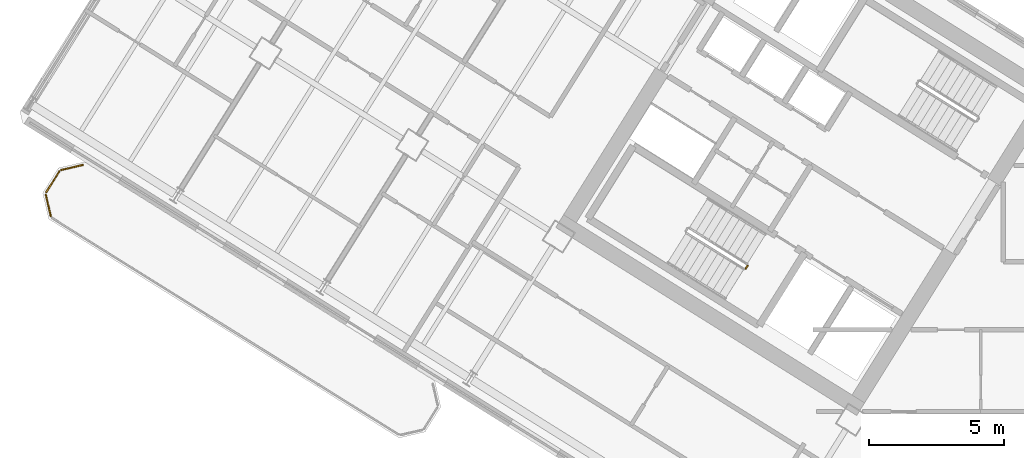
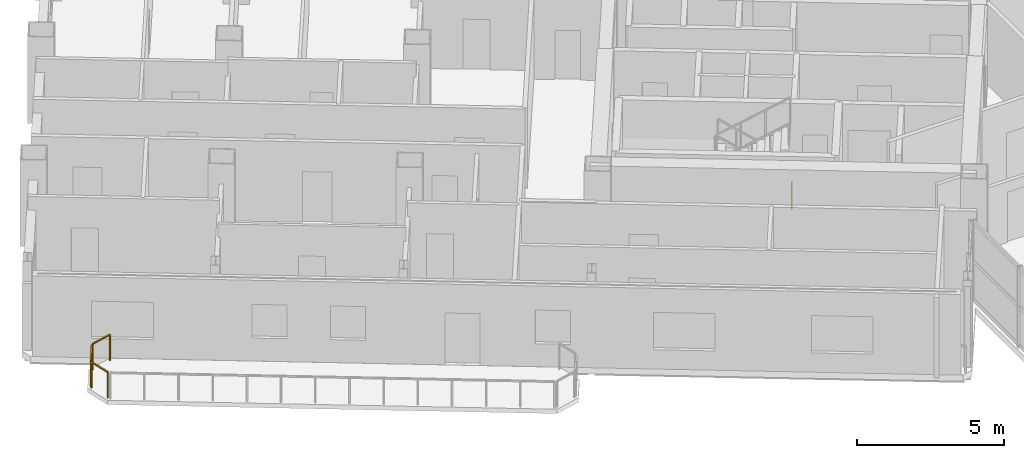
# One storey, part 23 of 29: 4 railings.
"""IFC4 building model written with IfcOpenShell, lengths in metres."""

from ifc_helpers import new_model, si_unit, direction, frame, origin, origin_2d, place, context, subcontext, project, spatial, rectangle, extrude, source, transform, mapped, material, type_object, element, save


model = new_model("IFC4")

# Units and contexts
model_context = context("Model", 3, precision=1e-05, world=origin(), true_north=direction((0.0, 1.0)))
body_context = subcontext(model_context, "Body", "Model", "MODEL_VIEW")
ifc_project = project(units=[si_unit("LENGTHUNIT", "METRE"), si_unit("AREAUNIT", "SQUARE_METRE"), si_unit("VOLUMEUNIT", "CUBIC_METRE"), si_unit("PLANEANGLEUNIT", "RADIAN"), si_unit("MASSUNIT", "GRAM", prefix="KILO")], contexts=[model_context])

# Site, building, storey
site_placement = place(None, origin())
site = spatial("IfcSite", under=ifc_project, at=site_placement, CompositionType="ELEMENT")
building_placement = place(site_placement, origin())
building = spatial("IfcBuilding", under=site, at=building_placement, Name="Tlacorven Tower", CompositionType="ELEMENT")
storey_placement = place(building_placement, frame((0.0, 0.0, 158.699951171875)))
storey = spatial("IfcBuildingStorey", under=building, at=storey_placement, Name="L40", CompositionType="ELEMENT", Elevation=158.699951171875)

# Railings
ifc_material = material(Name="Aluminium and painted steel balustrade", Category="steel")
railing_type_1 = type_object("IfcRailingType", Name="RL-BAL-1100", PredefinedType="BALUSTRADE", material=ifc_material)
shared_shape_1 = source(origin(), body_context, "Body", "SweptSolid", [
    extrude(rectangle(XDim=0.048095703125, YDim=0.048095703125, at=origin_2d()), frame((0.0, 0.0, 1.076171875), z_axis=(-0.225058334816, 0.974345290916, 0.0), x_axis=(-0.974345290916, -0.225058334816, 0.0)), (0.0, 0.0, 1.0), 0.80712890625),
    extrude(rectangle(XDim=0.0419921875, YDim=0.0419921875, at=origin_2d()), origin(), (0.0, 0.0, 1.0), 1.052001953125),
    extrude(rectangle(XDim=0.0419921875, YDim=0.0419921875, at=origin_2d()), frame((-0.181640625, 0.786376953125, 0.0)), (0.0, 0.0, 1.0), 1.052001953125),
])
railing_1_placement = place(storey_placement, frame((3.380859375, 19.62841796875, 0.0)))
element("IfcRailing", 1, at=railing_1_placement, inside=storey, type_object=railing_type_1, Name="BAL-L40-W-OUT Guard Railing 5", PredefinedType="BALUSTRADE", context=body_context, shape_type="MappedRepresentation", body=[
    mapped(shared_shape_1, transform((0.0, 0.0, 0.0), scale=1.0)),
])
shared_shape_2 = source(origin(), body_context, "Body", "SweptSolid", [
    extrude(rectangle(XDim=0.048095703125, YDim=0.048095703125, at=origin_2d()), frame((0.0, 0.0, 1.076171875), z_axis=(0.52987865805, 0.848073468364, 0.0), x_axis=(-0.848073468364, 0.52987865805, 0.0)), (0.0, 0.0, 1.0), 0.912353515625),
    extrude(rectangle(XDim=0.0419921875, YDim=0.0419921875, at=origin_2d()), origin(), (0.0, 0.0, 1.0), 1.052001953125),
    extrude(rectangle(XDim=0.0419921875, YDim=0.0419921875, at=origin_2d()), frame((0.4833984375, 0.773681640625, 0.0)), (0.0, 0.0, 1.0), 1.052001953125),
])
railing_2_placement = place(storey_placement, frame((3.214599609375, 20.505859375, 0.0)))
element("IfcRailing", 2, at=railing_2_placement, inside=storey, type_object=railing_type_1, Name="BAL-L40-W-OUT Guard Railing 6", PredefinedType="BALUSTRADE", context=body_context, shape_type="MappedRepresentation", body=[
    mapped(shared_shape_2, transform((0.0, 0.0, 0.0), scale=1.0)),
])
shared_shape_3 = source(origin(), body_context, "Body", "SweptSolid", [
    extrude(rectangle(XDim=0.048095703125, YDim=0.048095703125, at=origin_2d()), frame((0.0, 0.0, 1.076171875), z_axis=(0.974345290916, 0.225058334816, 0.0), x_axis=(-0.225058334816, 0.974345290916, 0.0)), (0.0, 0.0, 1.0), 0.80712890625),
    extrude(rectangle(XDim=0.0419921875, YDim=0.0419921875, at=origin_2d()), origin(), (0.0, 0.0, 1.0), 1.052001953125),
    extrude(rectangle(XDim=0.0419921875, YDim=0.0419921875, at=origin_2d()), frame((0.786376953125, 0.181640625, 0.0)), (0.0, 0.0, 1.0), 1.052001953125),
])
railing_3_placement = place(storey_placement, frame((3.773193359375, 21.3330078125, 0.0)))
element("IfcRailing", 3, at=railing_3_placement, inside=storey, type_object=railing_type_1, Name="BAL-L40-W-OUT Guard Railing 7", PredefinedType="BALUSTRADE", context=body_context, shape_type="MappedRepresentation", body=[
    mapped(shared_shape_3, transform((0.0, 0.0, 0.0), scale=1.0)),
])
railing_type_2 = type_object("IfcRailingType", Name="RL-GRD-1100", PredefinedType="GUARDRAIL", material=ifc_material)
shared_shape_4 = source(origin(), body_context, "Body", "SweptSolid", [
    extrude(rectangle(XDim=0.048095703125, YDim=0.048095703125, at=origin_2d()), frame((0.0, 0.0, 1.076171875), z_axis=(-0.529084052582, -0.848569422795, 0.0), x_axis=(0.848569422795, -0.529084052582, 0.0)), (0.0, 0.0, 1.0), 0.119873046875),
    extrude(rectangle(XDim=0.0419921875, YDim=0.0419921875, at=origin_2d()), origin(), (0.0, 0.0, 1.0), 1.052001953125),
    extrude(rectangle(XDim=0.0419921875, YDim=0.0419921875, at=origin_2d()), frame((-0.0634765625, -0.101806640625, 0.0)), (0.0, 0.0, 1.0), 1.052001953125),
])
railing_4_placement = place(storey_placement, frame((29.176513671875, 17.782958984375, 0.0)))
element("IfcRailing", 4, at=railing_4_placement, inside=storey, type_object=railing_type_2, Name="L40 ST-W1 stair guard 4", PredefinedType="GUARDRAIL", context=body_context, shape_type="MappedRepresentation", body=[
    mapped(shared_shape_4, transform((0.0, 0.0, 0.0), scale=1.0)),
])

save(model, "model.ifc")
